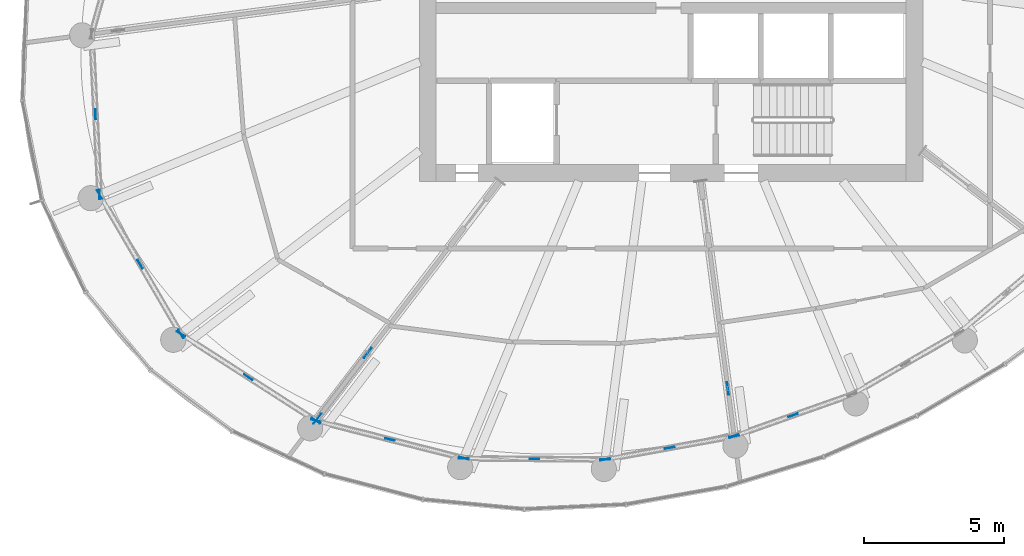
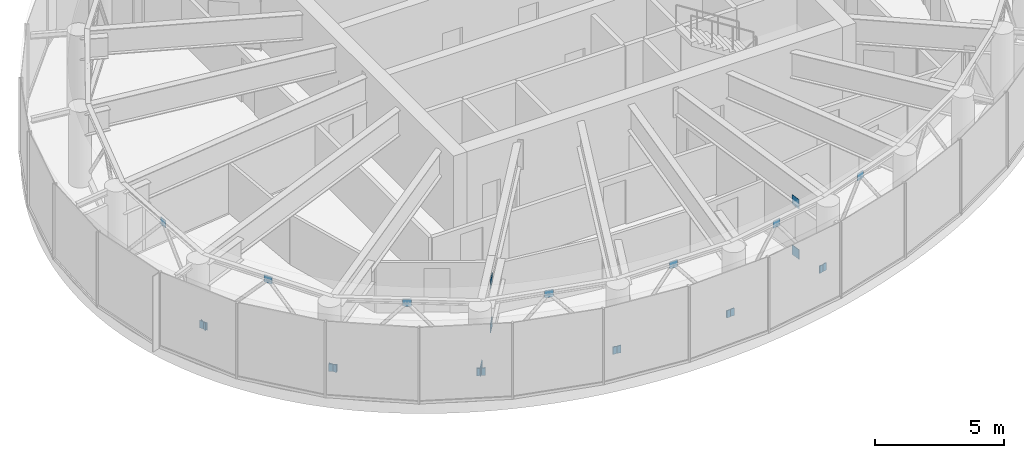
# One storey, part 20 of 26: 24 discrete accessories.
"""IFC4 building model written with IfcOpenShell, lengths in metres."""

from ifc_helpers import new_model, si_unit, direction, frame, origin, origin_2d, place, context, subcontext, project, spatial, rectangle, extrude, source, transform, mapped, material, layer, layer_set, type_object, element, save


model = new_model("IFC4")

# Units and contexts
model_context = context("Model", 3, precision=1e-05, world=origin(), true_north=direction((0.0, 1.0)))
body_context = subcontext(model_context, "Body", "Model", "MODEL_VIEW")
ifc_project = project(units=[si_unit("LENGTHUNIT", "METRE"), si_unit("AREAUNIT", "SQUARE_METRE"), si_unit("VOLUMEUNIT", "CUBIC_METRE"), si_unit("PLANEANGLEUNIT", "RADIAN"), si_unit("MASSUNIT", "GRAM", prefix="KILO")], contexts=[model_context])

# Site, building, storey
site_placement = place(None, origin())
site = spatial("IfcSite", under=ifc_project, at=site_placement, CompositionType="ELEMENT")
building_placement = place(site_placement, origin())
building = spatial("IfcBuilding", under=site, at=building_placement, Name="Spindrift Exchange Tower", CompositionType="ELEMENT")
storey_placement = place(building_placement, frame((0.0, 0.0, 230.60009765625)))
storey = spatial("IfcBuildingStorey", under=building, at=storey_placement, Name="L56", CompositionType="ELEMENT", Elevation=230.60009765625)

# Discrete accessories
ifc_material = material(Name="Steel Grade 350", Category="steel")
ifc_layer_1 = layer(ifc_material, 0.02490234375)
ifc_layer_set_1 = layer_set([ifc_layer_1], Name="Gusset plate 450x450x25 Steel Grade 350")
discrete_accessory_type_1 = type_object("IfcDiscreteAccessoryType", Name="Gusset plate 450x450x25 Steel Grade 350", PredefinedType="USERDEFINED", material=ifc_layer_set_1)
shared_shape_1 = source(origin(), body_context, "Body", "SweptSolid", [
    extrude(rectangle(XDim=0.449951171875, YDim=0.02490234375, at=origin_2d()), origin(), (0.0, 0.0, 1.0), 0.449951171875),
])
for number, where, z_axis, x_axis, name in (
    (1, (41.153076171875, 33.864013671875, 2.15478515625), (0.0, 0.0, 1.0), (-0.608766967645, -0.793349090315, 0.0), "L56 gusset plate GP1 16"),
    (2, (39.35302734375, 31.51806640625, 0.0830078125), (0.0, 0.0, 1.0), (-0.608766967645, -0.793349090315, 0.0), "L56 gusset plate GP1 16"),
    (3, (41.153076171875, 33.864013671875, 0.0830078125), (0.0, 0.0, 1.0), (-0.608761429009, -0.793353340291, 0.0), "L56 gusset plate GP1 16"),
    (4, (54.02685546875, 32.60400390625, -0.22509765625), (0.0, 0.0, 1.0), (0.13052619222, -0.991444861374, 0.0), "L56 gusset plate GP1 19"),
    (5, (54.02685546875, 32.60400390625, 2.15478515625), (0.0, 0.0, 1.0), (0.13052619222, -0.991444861374, 0.0), "L56 gusset plate GP1 19"),
):
    element("IfcDiscreteAccessory", number, at=place(storey_placement, frame(where, z_axis=z_axis, x_axis=x_axis)), inside=storey, type_object=discrete_accessory_type_1, Name=name, ObjectType="Gusset plate", PredefinedType="USERDEFINED", context=body_context, shape_type="MappedRepresentation", body=[
        mapped(shared_shape_1, transform((0.0, 0.0, 0.0), scale=1.0)),
    ])
ifc_layer_2 = layer(ifc_material, 0.02001953125)
ifc_layer_set_2 = layer_set([ifc_layer_2], Name="Gusset plate 350x350x20 Steel Grade 350")
discrete_accessory_type_2 = type_object("IfcDiscreteAccessoryType", Name="Gusset plate 350x350x20 Steel Grade 350", PredefinedType="USERDEFINED", material=ifc_layer_set_2)
shared_shape_2 = source(origin(), body_context, "Body", "SweptSolid", [
    extrude(rectangle(XDim=0.35009765625, YDim=0.02001953125, at=origin_2d()), origin(), (0.0, 0.0, 1.0), 0.35009765625),
])
for number, where, z_axis, x_axis, name in (
    (6, (31.41796875, 42.402587890625, 3.201904296875), (0.0, 0.0, 1.0), (0.049818991179, -0.998758263104, 0.0), "L56 gusset plate GP2 13"),
    (7, (31.56103515625, 39.533935546875, 0.02783203125), (0.0, 0.0, 1.0), (0.049818991179, -0.998758263104, 0.0), "L56 gusset plate GP2 13"),
    (8, (31.56103515625, 39.533935546875, 0.02783203125), (0.0, 0.0, 1.0), (0.503549316084, -0.86396648446, 0.0), "L56 gusset plate GP2 14"),
    (9, (33.014404296875, 37.040283203125, 3.201904296875), (0.0, 0.0, 1.0), (0.503549316084, -0.86396648446, 0.0), "L56 gusset plate GP2 14"),
    (10, (34.467529296875, 34.547119140625, 0.02783203125), (0.0, 0.0, 1.0), (0.503564395067, -0.863957695735, 0.0), "L56 gusset plate GP2 14"),
    (11, (34.467529296875, 34.547119140625, 0.02783203125), (0.0, 0.0, 1.0), (0.84157300758, -0.54014338181, 0.0), "L56 gusset plate GP2 15"),
    (12, (36.8828125, 32.996826171875, 3.201904296875), (0.0, 0.0, 1.0), (0.84157300758, -0.54014338181, 0.0), "L56 gusset plate GP2 15"),
    (13, (39.298095703125, 31.446533203125, 0.02783203125), (0.0, 0.0, 1.0), (0.84157300758, -0.54014338181, 0.0), "L56 gusset plate GP2 15"),
    (14, (39.298095703125, 31.446533203125, 0.02783203125), (0.0, 0.0, 1.0), (0.969278149884, -0.245967209517, 0.0), "L56 gusset plate GP2 16"),
    (15, (41.94287109375, 30.775390625, 3.201904296875), (0.0, 0.0, 1.0), (0.969278149884, -0.245967209517, 0.0), "L56 gusset plate GP2 16"),
    (16, (44.58740234375, 30.1044921875, 0.02783203125), (0.0, 0.0, 1.0), (0.969278149884, -0.245967209517, 0.0), "L56 gusset plate GP2 16"),
    (17, (44.58740234375, 30.1044921875, 0.02783203125), (0.0, 0.0, 1.0), (0.999959242574, -0.00902846556, 0.0), "L56 gusset plate GP2 17"),
    (18, (47.11279296875, 30.08154296875, 3.201904296875), (0.0, 0.0, 1.0), (0.999959242574, -0.00902846556, 0.0), "L56 gusset plate GP2 17"),
    (19, (49.637939453125, 30.058837890625, 0.02783203125), (0.0, 0.0, 1.0), (0.999959242574, -0.00902846556, 0.0), "L56 gusset plate GP2 17"),
    (20, (49.637939453125, 30.058837890625, 0.02783203125), (0.0, 0.0, 1.0), (0.983986301984, 0.178244095297, 0.0), "L56 gusset plate GP2 18"),
    (21, (51.945068359375, 30.476806640625, 3.201904296875), (0.0, 0.0, 1.0), (0.983986301984, 0.178244095297, 0.0), "L56 gusset plate GP2 18"),
    (22, (54.251953125, 30.89453125, 0.02783203125), (0.0, 0.0, 1.0), (0.983985057581, 0.178250964813, 0.0), "L56 gusset plate GP2 18"),
    (23, (54.251953125, 30.89453125, 0.02783203125), (0.0, 0.0, 1.0), (0.943000991262, 0.332789919437, 0.0), "L56 gusset plate GP2 19"),
    (24, (56.3603515625, 31.638671875, 3.201904296875), (0.0, 0.0, 1.0), (0.943000991262, 0.332789919437, 0.0), "L56 gusset plate GP2 19"),
):
    element("IfcDiscreteAccessory", number, at=place(storey_placement, frame(where, z_axis=z_axis, x_axis=x_axis)), inside=storey, type_object=discrete_accessory_type_2, Name=name, ObjectType="Gusset plate", PredefinedType="USERDEFINED", context=body_context, shape_type="MappedRepresentation", body=[
        mapped(shared_shape_2, transform((0.0, 0.0, 0.0), scale=1.0)),
    ])

save(model, "model.ifc")
